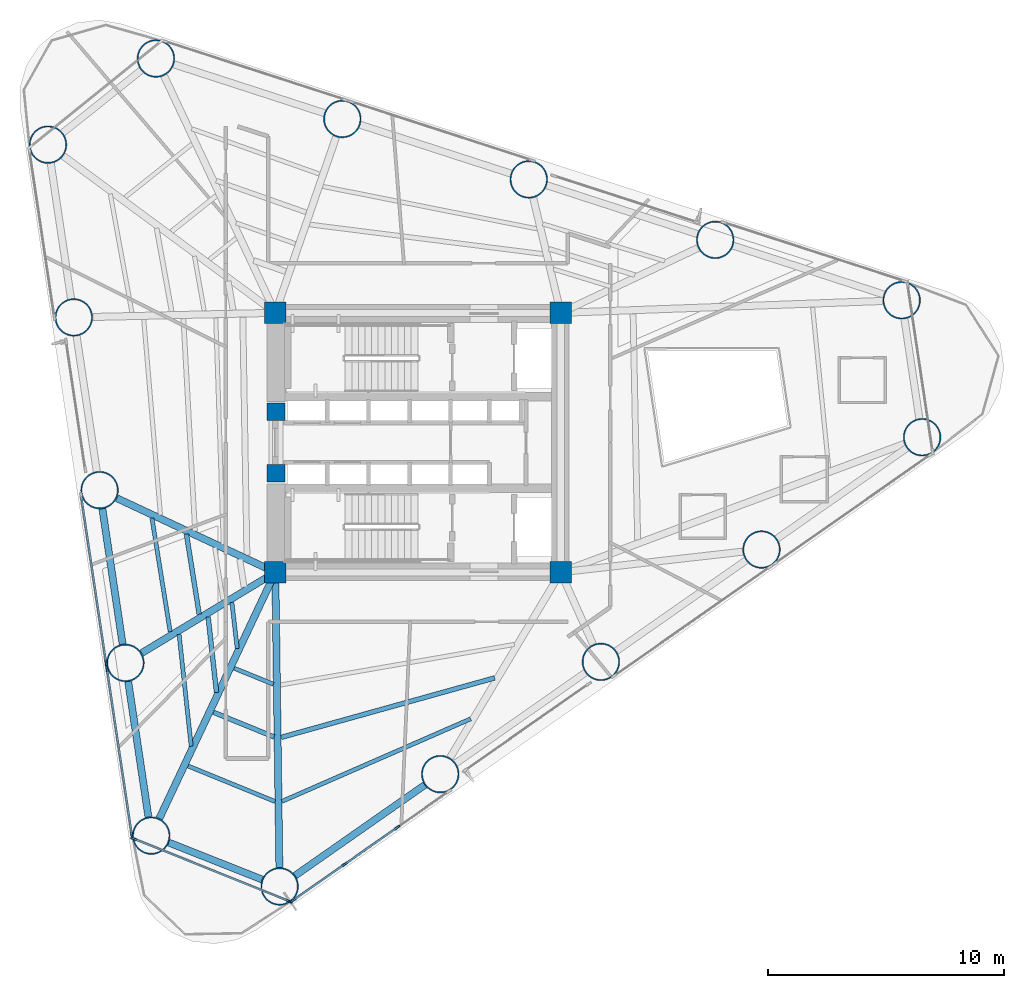
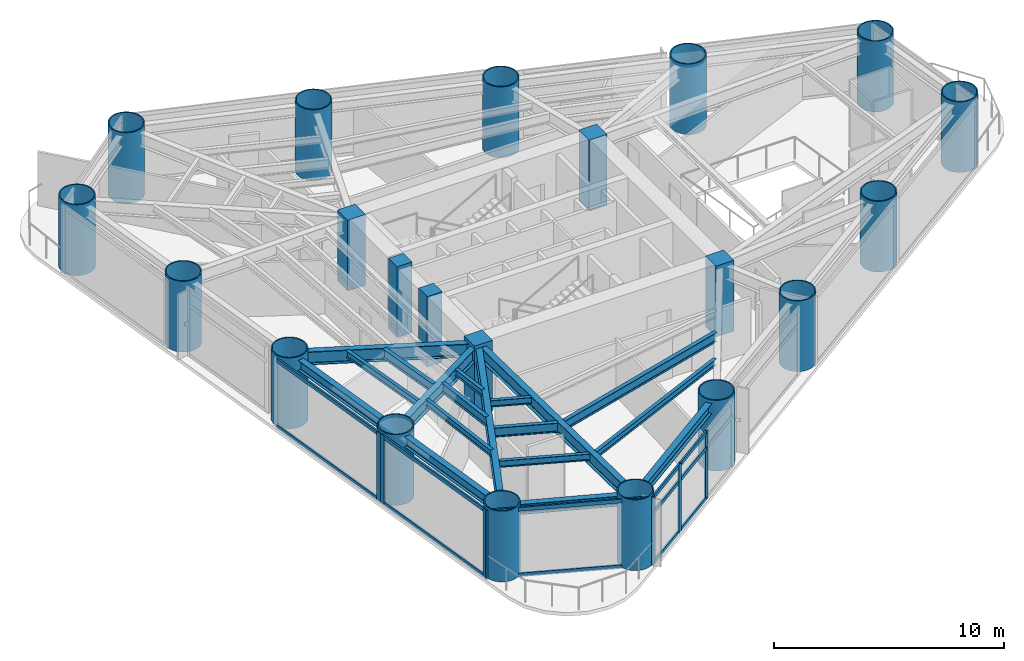
# One storey, part 1 of 9: 21 columns, 20 members, 18 beams, 4 elements without a shape of their own.
"""IFC4 building model written with IfcOpenShell, lengths in metres."""

from ifc_helpers import new_model, si_unit, direction, frame, origin, origin_2d, place, context, subcontext, project, spatial, rectangle, hollow_circle, i_section, extrude, source, transform, mapped, material, layer, layer_set, material_profile, profile_set, type_object, element, aggregate, save


model = new_model("IFC4")

# Units and contexts
model_context = context("Model", 3, precision=1e-05, world=origin(), true_north=direction((0.0, 1.0)))
body_context = subcontext(model_context, "Body", "Model", "MODEL_VIEW")
ifc_project = project(units=[si_unit("LENGTHUNIT", "METRE"), si_unit("AREAUNIT", "SQUARE_METRE"), si_unit("VOLUMEUNIT", "CUBIC_METRE"), si_unit("PLANEANGLEUNIT", "RADIAN"), si_unit("MASSUNIT", "GRAM", prefix="KILO")], contexts=[model_context])

# Site, building, storey
site_placement = place(None, origin())
site = spatial("IfcSite", under=ifc_project, at=site_placement, CompositionType="ELEMENT")
building_placement = place(site_placement, origin())
building = spatial("IfcBuilding", under=site, at=building_placement, Name="Yunling Apex Tower", CompositionType="ELEMENT")
storey_placement = place(building_placement, frame((0.0, 0.0, 77.300048828125)))
storey = spatial("IfcBuildingStorey", under=building, at=storey_placement, Name="L20", CompositionType="ELEMENT", Elevation=77.300048828125)

# Columns
ifc_material_1 = material(Name="Concrete C60", Category="concrete")
ifc_material_profile_1 = material_profile(ifc_material_1, rectangle(XDim=0.89990234375, YDim=0.89990234375, at=origin_2d()))
ifc_profile_set_1 = profile_set([ifc_material_profile_1], Name="Concrete C60")
column_type_1 = type_object("IfcColumnType", Name="PC-SRC-3", PredefinedType="COLUMN", material=ifc_profile_set_1)
shared_shape_1 = source(origin(), body_context, "Body", "SweptSolid", [
    extrude(rectangle(XDim=0.89990234375, YDim=0.89990234375, at=origin_2d()), origin(), (0.0, 0.0, 1.0), 3.75),
])
for number, where, z_axis, x_axis, name in (
    (1, (-6.050048828125, -5.5, 0.0), (0.0, 0.0, 1.0), (1.0, 0.0, 0.0), "L20 Core Spine Column CC-SW"),
    (2, (6.050048828125, -5.5, 0.0), (0.0, 0.0, 1.0), (1.0, 0.0, 0.0), "L20 Core Spine Column CC-SE"),
    (3, (6.050048828125, 5.5, 0.0), (0.0, 0.0, 1.0), (1.0, 0.0, 0.0), "L20 Core Spine Column CC-NE"),
    (4, (-6.050048828125, 5.5, 0.0), (0.0, 0.0, 1.0), (1.0, 0.0, 0.0), "L20 Core Spine Column CC-NW"),
):
    element("IfcColumn", number, at=place(storey_placement, frame(where, z_axis=z_axis, x_axis=x_axis)), inside=storey, type_object=column_type_1, Name=name, PredefinedType="COLUMN", context=body_context, shape_type="MappedRepresentation", body=[
        mapped(shared_shape_1, transform((0.0, 0.0, 0.0), scale=1.0)),
    ])
ifc_material_2 = material(Name="Concrete C50", Category="concrete")
ifc_material_profile_2 = material_profile(ifc_material_2, rectangle(XDim=0.75, YDim=0.75, at=origin_2d()))
ifc_profile_set_2 = profile_set([ifc_material_profile_2], Name="Concrete C50")
column_type_2 = type_object("IfcColumnType", Name="PC-SRC-4", PredefinedType="COLUMN", material=ifc_profile_set_2)
shared_shape_2 = source(origin(), body_context, "Body", "SweptSolid", [
    extrude(rectangle(XDim=0.75, YDim=0.75, at=origin_2d()), origin(), (0.0, 0.0, 1.0), 3.75),
])
for number, where, z_axis, x_axis, name in (
    (5, (-6.02490234375, -1.300048828125, 0.0), (0.0, 0.0, 1.0), (1.0, 0.0, 0.0), "L20 Core West Portal Jamb Column S"),
    (6, (-6.02490234375, 1.300048828125, 0.0), (0.0, 0.0, 1.0), (1.0, 0.0, 0.0), "L20 Core West Portal Jamb Column N"),
):
    element("IfcColumn", number, at=place(storey_placement, frame(where, z_axis=z_axis, x_axis=x_axis)), inside=storey, type_object=column_type_2, Name=name, PredefinedType="COLUMN", context=body_context, shape_type="MappedRepresentation", body=[
        mapped(shared_shape_2, transform((0.0, 0.0, 0.0), scale=1.0)),
    ])
ifc_material_3 = material(Name="Steel Q390GJC", Category="steel")
ifc_material_profile_3 = material_profile(ifc_material_3, hollow_circle(Radius=0.800048828125, WallThickness=0.054931640625, at=origin_2d()))
ifc_profile_set_3 = profile_set([ifc_material_profile_3], Name="Steel Q390GJC")
column_type_3 = type_object("IfcColumnType", Name="MC-CFST-1", PredefinedType="COLUMN", material=ifc_profile_set_3)
shared_shape_3 = source(origin(), body_context, "Body", "SweptSolid", [
    extrude(hollow_circle(Radius=0.800048828125, WallThickness=0.054931640625, at=origin_2d()), origin(), (0.0, 0.0, 1.0), 3.75),
])
for number, where, z_axis, x_axis, name in (
    (7, (-5.8681640625, -18.8193359375, 0.0), (0.0, 0.0, 1.0), (1.0, 0.0, 0.0), "L20 Perimeter CFST Mega-Column P01"),
    (8, (0.941650390625, -14.05810546875, 0.0), (0.0, 0.0, 1.0), (1.0, 0.0, 0.0), "L20 Perimeter CFST Mega-Column P02"),
    (9, (7.751708984375, -9.296875, 0.0), (0.0, 0.0, 1.0), (1.0, 0.0, 0.0), "L20 Perimeter CFST Mega-Column P03"),
    (10, (14.5615234375, -4.535400390625, 0.0), (0.0, 0.0, 1.0), (1.0, 0.0, 0.0), "L20 Perimeter CFST Mega-Column P04"),
    (11, (21.371337890625, 0.225830078125, 0.0), (0.0, 0.0, 1.0), (1.0, 0.0, 0.0), "L20 Perimeter CFST Mega-Column P05"),
    (12, (20.50341796875, 6.032470703125, 0.0), (0.0, 0.0, 1.0), (1.0, 0.0, 0.0), "L20 Perimeter CFST Mega-Column P06"),
    (13, (12.59912109375, 8.594482421875, 0.0), (0.0, 0.0, 1.0), (1.0, 0.0, 0.0), "L20 Perimeter CFST Mega-Column P07"),
    (14, (4.69482421875, 11.15673828125, 0.0), (0.0, 0.0, 1.0), (1.0, 0.0, 0.0), "L20 Perimeter CFST Mega-Column P08"),
    (15, (-3.209716796875, 13.718994140625, 0.0), (0.0, 0.0, 1.0), (1.0, 0.0, 0.0), "L20 Perimeter CFST Mega-Column P09"),
    (16, (-11.114013671875, 16.28125, 0.0), (0.0, 0.0, 1.0), (1.0, 0.0, 0.0), "L20 Perimeter CFST Mega-Column P10"),
    (17, (-15.689208984375, 12.62939453125, 0.0), (0.0, 0.0, 1.0), (1.0, 0.0, 0.0), "L20 Perimeter CFST Mega-Column P11"),
    (18, (-14.594482421875, 5.305908203125, 0.0), (0.0, 0.0, 1.0), (1.0, 0.0, 0.0), "L20 Perimeter CFST Mega-Column P12"),
    (19, (-13.5, -2.017578125, 0.0), (0.0, 0.0, 1.0), (1.0, 0.0, 0.0), "L20 Perimeter CFST Mega-Column P13"),
    (20, (-12.405517578125, -9.341064453125, 0.0), (0.0, 0.0, 1.0), (1.0, 0.0, 0.0), "L20 Perimeter CFST Mega-Column P14"),
    (21, (-11.31103515625, -16.66455078125, 0.0), (0.0, 0.0, 1.0), (1.0, 0.0, 0.0), "L20 Perimeter CFST Mega-Column P15"),
):
    element("IfcColumn", number, at=place(storey_placement, frame(where, z_axis=z_axis, x_axis=x_axis)), inside=storey, type_object=column_type_3, Name=name, PredefinedType="COLUMN", context=body_context, shape_type="MappedRepresentation", body=[
        mapped(shared_shape_3, transform((0.0, 0.0, 0.0), scale=1.0)),
    ])

# Beams
ifc_material_4 = material(Name="Steel Q355B", Category="steel")
ifc_material_profile_4 = material_profile(ifc_material_4, i_section(OverallWidth=0.300048828125, OverallDepth=0.5400390625, WebThickness=0.011962890625, FlangeThickness=0.02001953125, FilletRadius=0.02392578125, at=origin_2d()))
ifc_profile_set_4 = profile_set([ifc_material_profile_4], Name="Steel Q355B")
beam_type_1 = type_object("IfcBeamType", Name="BP-SPN-1", PredefinedType="SPANDREL", material=ifc_profile_set_4)
shared_shape_4 = source(origin(), body_context, "Body", "SweptSolid", [
    extrude(i_section(OverallWidth=0.300048828125, OverallDepth=0.5400390625, WebThickness=0.011962890625, FlangeThickness=0.02001953125, FilletRadius=0.02392578125, at=origin_2d()), origin(), (0.0, 0.0, 1.0), 6.721435546875),
])
beam_1_placement = place(storey_placement, frame((-5.217529296875, -18.364501953125, 3.294921875), z_axis=(0.81955772083, 0.572996633697, 0.0), x_axis=(-0.572996633697, 0.81955772083, 0.0)))
element("IfcBeam", 22, at=beam_1_placement, inside=storey, type_object=beam_type_1, Name="L20 Perimeter Spandrel Beam 1", PredefinedType="SPANDREL", context=body_context, shape_type="MappedRepresentation", body=[
    mapped(shared_shape_4, transform((0.0, 0.0, 0.0), scale=1.0)),
])
shared_shape_5 = source(origin(), body_context, "Body", "SweptSolid", [
    extrude(i_section(OverallWidth=0.300048828125, OverallDepth=0.5400390625, WebThickness=0.011962890625, FlangeThickness=0.02001953125, FilletRadius=0.02392578125, at=origin_2d()), origin(), (0.0, 0.0, 1.0), 4.265869140625),
])
beam_2_placement = place(storey_placement, frame((-10.57275390625, -16.956787109375, 3.294921875), z_axis=(0.929781313093, -0.368112360323, 0.0), x_axis=(0.368112360323, 0.929781313093, 0.0)))
element("IfcBeam", 23, at=beam_2_placement, inside=storey, type_object=beam_type_1, Name="L20 Perimeter Spandrel Beam 15", PredefinedType="SPANDREL", context=body_context, shape_type="MappedRepresentation", body=[
    mapped(shared_shape_5, transform((0.0, 0.0, 0.0), scale=1.0)),
])
shared_shape_6 = source(origin(), body_context, "Body", "SweptSolid", [
    extrude(i_section(OverallWidth=0.300048828125, OverallDepth=0.5400390625, WebThickness=0.011962890625, FlangeThickness=0.02001953125, FilletRadius=0.02392578125, at=origin_2d()), origin(), (0.0, 0.0, 1.0), 5.81689453125),
])
for number, where, z_axis, x_axis, name in (
    (24, (-13.3828125, -2.802978515625, 3.294921875), (0.147823230204, -0.989013797989, 0.0), (0.989013797989, 0.147823230204, 0.0), "L20 Perimeter Spandrel Beam 13"),
    (25, (-12.2880859375, -10.12646484375, 3.294921875), (0.14778217558, -0.989019933359, 0.0), (0.989019933359, 0.14778217558, 0.0), "L20 Perimeter Spandrel Beam 14"),
):
    element("IfcBeam", number, at=place(storey_placement, frame(where, z_axis=z_axis, x_axis=x_axis)), inside=storey, type_object=beam_type_1, Name=name, PredefinedType="SPANDREL", context=body_context, shape_type="MappedRepresentation", body=[
        mapped(shared_shape_6, transform((0.0, 0.0, 0.0), scale=1.0)),
    ])
ifc_material_profile_5 = material_profile(ifc_material_4, i_section(OverallWidth=0.300048828125, OverallDepth=0.699951171875, WebThickness=0.012939453125, FlangeThickness=0.02392578125, FilletRadius=0.02587890625, at=origin_2d()))
ifc_profile_set_5 = profile_set([ifc_material_profile_5], Name="Steel Q355B")
beam_type_2 = type_object("IfcBeamType", Name="BG-PRI-3", PredefinedType="USERDEFINED", material=ifc_profile_set_5)
shared_shape_7 = source(origin(), body_context, "Body", "SweptSolid", [
    extrude(i_section(OverallWidth=0.300048828125, OverallDepth=0.699951171875, WebThickness=0.012939453125, FlangeThickness=0.02392578125, FilletRadius=0.02587890625, at=origin_2d()), origin(), (0.0, 0.0, 1.0), 12.4326171875),
])
beam_3_placement = place(storey_placement, frame((-5.879150390625, -18.011474609375, 3.21484375), z_axis=(-0.013647857779, 0.999906863652, 0.0), x_axis=(-0.999906863652, -0.013647857779, 0.0)))
element("IfcBeam", 26, at=beam_3_placement, inside=storey, type_object=beam_type_2, Name="L20 Radial Primary Girder R01", ObjectType="GIRDER", PredefinedType="USERDEFINED", context=body_context, shape_type="MappedRepresentation", body=[
    mapped(shared_shape_7, transform((0.0, 0.0, 0.0), scale=1.0)),
])
shared_shape_8 = source(origin(), body_context, "Body", "SweptSolid", [
    extrude(i_section(OverallWidth=0.300048828125, OverallDepth=0.699951171875, WebThickness=0.012939453125, FlangeThickness=0.02392578125, FilletRadius=0.02587890625, at=origin_2d()), origin(), (0.0, 0.0, 1.0), 7.335693359375),
])
beam_4_placement = place(storey_placement, frame((-12.76806640625, -2.35986328125, 3.21484375), z_axis=(0.905923640783, -0.423441090437, 0.0), x_axis=(0.423441090437, 0.905923640783, 0.0)))
element("IfcBeam", 27, at=beam_4_placement, inside=storey, type_object=beam_type_2, Name="L20 Radial Primary Girder R13", ObjectType="GIRDER", PredefinedType="USERDEFINED", context=body_context, shape_type="MappedRepresentation", body=[
    mapped(shared_shape_8, transform((0.0, 0.0, 0.0), scale=1.0)),
])
shared_shape_9 = source(origin(), body_context, "Body", "SweptSolid", [
    extrude(i_section(OverallWidth=0.300048828125, OverallDepth=0.699951171875, WebThickness=0.012939453125, FlangeThickness=0.02392578125, FilletRadius=0.02587890625, at=origin_2d()), origin(), (0.0, 0.0, 1.0), 6.5380859375),
])
beam_5_placement = place(storey_placement, frame((-11.714111328125, -8.923095703125, 3.21484375), z_axis=(0.855857690559, 0.517211381847, 0.0), x_axis=(-0.517211381847, 0.855857690559, 0.0)))
element("IfcBeam", 28, at=beam_5_placement, inside=storey, type_object=beam_type_2, Name="L20 Radial Primary Girder R14", ObjectType="GIRDER", PredefinedType="USERDEFINED", context=body_context, shape_type="MappedRepresentation", body=[
    mapped(shared_shape_9, transform((0.0, 0.0, 0.0), scale=1.0)),
])
shared_shape_10 = source(origin(), body_context, "Body", "SweptSolid", [
    extrude(i_section(OverallWidth=0.300048828125, OverallDepth=0.699951171875, WebThickness=0.012939453125, FlangeThickness=0.02392578125, FilletRadius=0.02587890625, at=origin_2d()), origin(), (0.0, 0.0, 1.0), 11.4541015625),
])
beam_6_placement = place(storey_placement, frame((-10.966796875, -15.93359375, 3.21484375), z_axis=(0.426297901301, 0.904582831667, 0.0), x_axis=(-0.904582831667, 0.426297901301, 0.0)))
element("IfcBeam", 29, at=beam_6_placement, inside=storey, type_object=beam_type_2, Name="L20 Radial Primary Girder R15", ObjectType="GIRDER", PredefinedType="USERDEFINED", context=body_context, shape_type="MappedRepresentation", body=[
    mapped(shared_shape_10, transform((0.0, 0.0, 0.0), scale=1.0)),
])
ifc_material_profile_6 = material_profile(ifc_material_4, i_section(OverallWidth=0.199951171875, OverallDepth=0.5, WebThickness=0.010009765625, FlangeThickness=0.01611328125, FilletRadius=0.02001953125, at=origin_2d()))
ifc_profile_set_6 = profile_set([ifc_material_profile_6], Name="Steel Q355B")
beam_type_3 = type_object("IfcBeamType", Name="BS-SEC-2", PredefinedType="BEAM", material=ifc_profile_set_6)
shared_shape_11 = source(origin(), body_context, "Body", "SweptSolid", [
    extrude(i_section(OverallWidth=0.199951171875, OverallDepth=0.5, WebThickness=0.010009765625, FlangeThickness=0.01611328125, FilletRadius=0.02001953125, at=origin_2d()), origin(), (0.0, 0.0, 1.0), 9.3935546875),
])
beam_7_placement = place(storey_placement, frame((-5.7998046875, -12.498779296875, 3.31494140625), z_axis=(0.963300137935, 0.268426608693, 0.0), x_axis=(-0.268426608693, 0.963300137935, 0.0)))
element("IfcBeam", 30, at=beam_7_placement, inside=storey, type_object=beam_type_3, Name="L20 Composite Floor Beam BS-1", PredefinedType="BEAM", context=body_context, shape_type="MappedRepresentation", body=[
    mapped(shared_shape_11, transform((0.0, 0.0, 0.0), scale=1.0)),
])
ifc_material_profile_7 = material_profile(ifc_material_4, i_section(OverallWidth=0.175048828125, OverallDepth=0.35009765625, WebThickness=0.007080078125, FlangeThickness=0.010986328125, FilletRadius=0.013916015625, at=origin_2d()))
ifc_profile_set_7 = profile_set([ifc_material_profile_7], Name="Steel Q355B")
beam_type_4 = type_object("IfcBeamType", Name="BJ-JST-1", PredefinedType="JOIST", material=ifc_profile_set_7)
shared_shape_12 = source(origin(), body_context, "Body", "SweptSolid", [
    extrude(i_section(OverallWidth=0.175048828125, OverallDepth=0.35009765625, WebThickness=0.007080078125, FlangeThickness=0.010986328125, FilletRadius=0.013916015625, at=origin_2d()), origin(), (0.0, 0.0, 1.0), 8.734375),
])
beam_8_placement = place(storey_placement, frame((-5.77001953125, -15.21240234375, 3.389892578125), z_axis=(0.916252252871, 0.400601808668, 0.0), x_axis=(-0.400601808668, 0.916252252871, 0.0)))
element("IfcBeam", 31, at=beam_8_placement, inside=storey, type_object=beam_type_4, Name="L20 Composite Floor Joist BJ1-1", PredefinedType="JOIST", context=body_context, shape_type="MappedRepresentation", body=[
    mapped(shared_shape_12, transform((0.0, 0.0, 0.0), scale=1.0)),
])
shared_shape_13 = source(origin(), body_context, "Body", "SweptSolid", [
    extrude(i_section(OverallWidth=0.199951171875, OverallDepth=0.5, WebThickness=0.010009765625, FlangeThickness=0.01611328125, FilletRadius=0.02001953125, at=origin_2d()), origin(), (0.0, 0.0, 1.0), 3.435546875),
])
beam_9_placement = place(storey_placement, frame((-9.81884765625, -3.884521484375, 3.31494140625), z_axis=(0.157619096627, -0.987499985002, 0.0), x_axis=(0.987499985002, 0.157619096627, 0.0)))
element("IfcBeam", 32, at=beam_9_placement, inside=storey, type_object=beam_type_3, Name="L20 Composite Floor Beam BS-13", PredefinedType="BEAM", context=body_context, shape_type="MappedRepresentation", body=[
    mapped(shared_shape_13, transform((0.0, 0.0, 0.0), scale=1.0)),
])
shared_shape_14 = source(origin(), body_context, "Body", "SweptSolid", [
    extrude(i_section(OverallWidth=0.175048828125, OverallDepth=0.35009765625, WebThickness=0.007080078125, FlangeThickness=0.010986328125, FilletRadius=0.013916015625, at=origin_2d()), origin(), (0.0, 0.0, 1.0), 4.881591796875),
])
beam_10_placement = place(storey_placement, frame((-11.28076171875, -3.201171875, 3.389892578125), z_axis=(0.158240169421, -0.987400652614, 0.0), x_axis=(0.987400652614, 0.158240169421, 0.0)))
element("IfcBeam", 33, at=beam_10_placement, inside=storey, type_object=beam_type_4, Name="L20 Composite Floor Joist BJ1-13", PredefinedType="JOIST", context=body_context, shape_type="MappedRepresentation", body=[
    mapped(shared_shape_14, transform((0.0, 0.0, 0.0), scale=1.0)),
])
shared_shape_15 = source(origin(), body_context, "Body", "SweptSolid", [
    extrude(i_section(OverallWidth=0.199951171875, OverallDepth=0.5, WebThickness=0.010009765625, FlangeThickness=0.01611328125, FilletRadius=0.02001953125, at=origin_2d()), origin(), (0.0, 0.0, 1.0), 3.222412109375),
])
beam_11_placement = place(storey_placement, frame((-8.898681640625, -7.391357421875, 3.31494140625), z_axis=(0.110315104592, -0.993896663491, 0.0), x_axis=(0.993896663491, 0.110315104592, 0.0)))
element("IfcBeam", 34, at=beam_11_placement, inside=storey, type_object=beam_type_3, Name="L20 Composite Floor Beam BS-14", PredefinedType="BEAM", context=body_context, shape_type="MappedRepresentation", body=[
    mapped(shared_shape_15, transform((0.0, 0.0, 0.0), scale=1.0)),
])
shared_shape_16 = source(origin(), body_context, "Body", "SweptSolid", [
    extrude(i_section(OverallWidth=0.175048828125, OverallDepth=0.35009765625, WebThickness=0.007080078125, FlangeThickness=0.010986328125, FilletRadius=0.013916015625, at=origin_2d()), origin(), (0.0, 0.0, 1.0), 4.765869140625),
])
beam_12_placement = place(storey_placement, frame((-10.130126953125, -8.135498046875, 3.389892578125), z_axis=(0.107732282993, -0.994179941058, 0.0), x_axis=(0.994179941058, 0.107732282993, 0.0)))
element("IfcBeam", 35, at=beam_12_placement, inside=storey, type_object=beam_type_4, Name="L20 Composite Floor Joist BJ1-14", PredefinedType="JOIST", context=body_context, shape_type="MappedRepresentation", body=[
    mapped(shared_shape_16, transform((0.0, 0.0, 0.0), scale=1.0)),
])
shared_shape_17 = source(origin(), body_context, "Body", "SweptSolid", [
    extrude(i_section(OverallWidth=0.175048828125, OverallDepth=0.35009765625, WebThickness=0.007080078125, FlangeThickness=0.010986328125, FilletRadius=0.013916015625, at=origin_2d()), origin(), (0.0, 0.0, 1.0), 1.95947265625),
])
beam_13_placement = place(storey_placement, frame((-7.890625, -6.782470703125, 3.389892578125), z_axis=(0.11512063256, -0.993351518829, 0.0), x_axis=(0.993351518829, 0.11512063256, 0.0)))
element("IfcBeam", 36, at=beam_13_placement, inside=storey, type_object=beam_type_4, Name="L20 Composite Floor Joist BJ3-14", PredefinedType="JOIST", context=body_context, shape_type="MappedRepresentation", body=[
    mapped(shared_shape_17, transform((0.0, 0.0, 0.0), scale=1.0)),
])
shared_shape_18 = source(origin(), body_context, "Body", "SweptSolid", [
    extrude(i_section(OverallWidth=0.199951171875, OverallDepth=0.5, WebThickness=0.010009765625, FlangeThickness=0.01611328125, FilletRadius=0.02001953125, at=origin_2d()), origin(), (0.0, 0.0, 1.0), 2.77294921875),
])
beam_14_placement = place(storey_placement, frame((-8.670166015625, -11.43505859375, 3.31494140625), z_axis=(0.926108309986, -0.377257734413, 0.0), x_axis=(0.377257734413, 0.926108309986, 0.0)))
element("IfcBeam", 37, at=beam_14_placement, inside=storey, type_object=beam_type_3, Name="L20 Composite Floor Beam BS-15", PredefinedType="BEAM", context=body_context, shape_type="MappedRepresentation", body=[
    mapped(shared_shape_18, transform((0.0, 0.0, 0.0), scale=1.0)),
])
shared_shape_19 = source(origin(), body_context, "Body", "SweptSolid", [
    extrude(i_section(OverallWidth=0.175048828125, OverallDepth=0.35009765625, WebThickness=0.007080078125, FlangeThickness=0.010986328125, FilletRadius=0.013916015625, at=origin_2d()), origin(), (0.0, 0.0, 1.0), 3.97412109375),
])
beam_15_placement = place(storey_placement, frame((-9.744384765625, -13.714599609375, 3.389892578125), z_axis=(0.925887115862, -0.377800276178, 0.0), x_axis=(0.377800276178, 0.925887115862, 0.0)))
element("IfcBeam", 38, at=beam_15_placement, inside=storey, type_object=beam_type_4, Name="L20 Composite Floor Joist BJ1-15", PredefinedType="JOIST", context=body_context, shape_type="MappedRepresentation", body=[
    mapped(shared_shape_19, transform((0.0, 0.0, 0.0), scale=1.0)),
])
shared_shape_20 = source(origin(), body_context, "Body", "SweptSolid", [
    extrude(i_section(OverallWidth=0.175048828125, OverallDepth=0.35009765625, WebThickness=0.007080078125, FlangeThickness=0.010986328125, FilletRadius=0.013916015625, at=origin_2d()), origin(), (0.0, 0.0, 1.0), 1.790283203125),
])
beam_16_placement = place(storey_placement, frame((-7.791259765625, -9.56982421875, 3.389892578125), z_axis=(0.926469549023, -0.376369731425, 0.0), x_axis=(0.376369731425, 0.926469549023, 0.0)))
element("IfcBeam", 39, at=beam_16_placement, inside=storey, type_object=beam_type_4, Name="L20 Composite Floor Joist BJ3-15", PredefinedType="JOIST", context=body_context, shape_type="MappedRepresentation", body=[
    mapped(shared_shape_20, transform((0.0, 0.0, 0.0), scale=1.0)),
])

# Curtain wall, members
ifc_material_5 = material(Name="Bronze anodised aluminium", Category="aluminium")
ifc_layer = layer(ifc_material_5, 0.260009765625)
ifc_layer_set = layer_set([ifc_layer], Name="Bronze anodised aluminium")
curtain_wall_type = type_object("IfcCurtainWallType", Name="CW-SYS-2", PredefinedType="NOTDEFINED", material=ifc_layer_set)
curtain_wall_1_placement = place(storey_placement, origin())
curtain_wall_1 = element("IfcCurtainWall", 40, at=curtain_wall_1_placement, inside=storey, type_object=curtain_wall_type, Name="CW-L20-F1-B1", PredefinedType="NOTDEFINED")
ifc_material_profile_8 = material_profile(ifc_material_5, rectangle(XDim=0.0849609375, YDim=0.260009765625, at=origin_2d()))
ifc_profile_set_8 = profile_set([ifc_material_profile_8], Name="Bronze anodised aluminium")
member_type_1 = type_object("IfcMemberType", Name="CW-MUL-2", PredefinedType="MULLION", material=ifc_profile_set_8)
shared_shape_21 = source(origin(), body_context, "Body", "SweptSolid", [
    extrude(rectangle(XDim=0.0849609375, YDim=0.260009765625, at=origin_2d()), origin(), (0.0, 0.0, 1.0), 3.6650390625),
])
member_1_placement = place(storey_placement, frame((-5.3037109375, -19.412841796875, -0.050048828125), z_axis=(0.0, 0.0, 1.0), x_axis=(-0.573004358875, 0.819552319691, 0.0)))
member_1 = element("IfcMember", 41, at=member_1_placement, type_object=member_type_1, Name="CW-SYS-2 mullion 1", PredefinedType="MULLION", context=body_context, shape_type="MappedRepresentation", body=[
    mapped(shared_shape_21, transform((0.0, 0.0, 0.0), scale=1.0)),
])
member_2_placement = place(storey_placement, frame((-3.1123046875, -17.880859375, -0.050048828125), z_axis=(0.0, 0.0, 1.0), x_axis=(-0.573004358875, 0.819552319691, 0.0)))
member_2 = element("IfcMember", 42, at=member_2_placement, type_object=member_type_1, Name="CW-SYS-2 mullion 2", PredefinedType="MULLION", context=body_context, shape_type="MappedRepresentation", body=[
    mapped(shared_shape_21, transform((0.0, 0.0, 0.0), scale=1.0)),
])
member_3_placement = place(storey_placement, frame((-0.885986328125, -16.32421875, -0.050048828125), z_axis=(0.0, 0.0, 1.0), x_axis=(-0.573004358875, 0.819552319691, 0.0)))
member_3 = element("IfcMember", 43, at=member_3_placement, type_object=member_type_1, Name="CW-SYS-2 mullion 3", PredefinedType="MULLION", context=body_context, shape_type="MappedRepresentation", body=[
    mapped(shared_shape_21, transform((0.0, 0.0, 0.0), scale=1.0)),
])

# Curtain wall, member
curtain_wall_2_placement = place(storey_placement, origin())
curtain_wall_2 = element("IfcCurtainWall", 44, at=curtain_wall_2_placement, inside=storey, type_object=curtain_wall_type, Name="CW-L20-F3-B3", PredefinedType="NOTDEFINED")
member_4_placement = place(storey_placement, frame((-13.224853515625, -9.339599609375, -0.050048828125), z_axis=(0.0, 0.0, 1.0), x_axis=(0.98901508166, 0.147814641525, 0.0)))
member_4 = element("IfcMember", 45, at=member_4_placement, type_object=member_type_1, Name="CW-SYS-2 mullion 2", PredefinedType="MULLION", context=body_context, shape_type="MappedRepresentation", body=[
    mapped(shared_shape_21, transform((0.0, 0.0, 0.0), scale=1.0)),
])

# Curtain wall, members
curtain_wall_3_placement = place(storey_placement, origin())
curtain_wall_3 = element("IfcCurtainWall", 46, at=curtain_wall_3_placement, inside=storey, type_object=curtain_wall_type, Name="CW-L20-F3-B4", PredefinedType="NOTDEFINED")
member_5_placement = place(storey_placement, frame((-13.1884765625, -9.58203125, -0.050048828125), z_axis=(0.0, 0.0, 1.0), x_axis=(0.989017099422, 0.14780114022, 0.0)))
member_5 = element("IfcMember", 47, at=member_5_placement, type_object=member_type_1, Name="CW-SYS-2 mullion 1", PredefinedType="MULLION", context=body_context, shape_type="MappedRepresentation", body=[
    mapped(shared_shape_21, transform((0.0, 0.0, 0.0), scale=1.0)),
])
member_6_placement = place(storey_placement, frame((-12.13037109375, -16.6630859375, -0.050048828125), z_axis=(0.0, 0.0, 1.0), x_axis=(0.989017099422, 0.14780114022, 0.0)))
member_6 = element("IfcMember", 48, at=member_6_placement, type_object=member_type_1, Name="CW-SYS-2 mullion 2", PredefinedType="MULLION", context=body_context, shape_type="MappedRepresentation", body=[
    mapped(shared_shape_21, transform((0.0, 0.0, 0.0), scale=1.0)),
])

curtain_wall_4_placement = place(storey_placement, origin())
curtain_wall_4 = element("IfcCurtainWall", 49, at=curtain_wall_4_placement, inside=storey, type_object=curtain_wall_type, Name="CW-L20-CRN3", PredefinedType="NOTDEFINED")
member_7_placement = place(storey_placement, frame((-12.052978515625, -16.79736328125, -0.050048828125), z_axis=(0.0, 0.0, 1.0), x_axis=(0.373143693329, 0.927773562961, 0.0)))
member_7 = element("IfcMember", 50, at=member_7_placement, type_object=member_type_1, Name="CW-SYS-2 mullion 1", PredefinedType="MULLION", context=body_context, shape_type="MappedRepresentation", body=[
    mapped(shared_shape_21, transform((0.0, 0.0, 0.0), scale=1.0)),
])
member_8_placement = place(storey_placement, frame((-5.454833984375, -19.450927734375, -0.050048828125), z_axis=(0.0, 0.0, 1.0), x_axis=(0.373143693329, 0.927773562961, 0.0)))
member_8 = element("IfcMember", 51, at=member_8_placement, type_object=member_type_1, Name="CW-SYS-2 mullion 2", PredefinedType="MULLION", context=body_context, shape_type="MappedRepresentation", body=[
    mapped(shared_shape_21, transform((0.0, 0.0, 0.0), scale=1.0)),
])

# Member
ifc_material_profile_9 = material_profile(ifc_material_5, rectangle(XDim=0.0849609375, YDim=0.199951171875, at=origin_2d()))
ifc_profile_set_9 = profile_set([ifc_material_profile_9], Name="Bronze anodised aluminium")
member_type_2 = type_object("IfcMemberType", Name="CW-TRN-2", PredefinedType="USERDEFINED", material=ifc_profile_set_9)
shared_shape_22 = source(origin(), body_context, "Body", "SweptSolid", [
    extrude(rectangle(XDim=0.0849609375, YDim=0.199951171875, at=origin_2d()), origin(), (0.0, 0.0, 1.0), 2.597412109375),
])
member_9_placement = place(storey_placement, frame((-5.272216796875, -19.39111328125, 0.04248046875), z_axis=(0.819510013096, 0.573064864073, 0.0), x_axis=(-0.573064864073, 0.819510013096, 0.0)))
member_9 = element("IfcMember", 52, at=member_9_placement, type_object=member_type_2, Name="CW-SYS-2 transom 1.1", ObjectType="TRANSOM", PredefinedType="USERDEFINED", context=body_context, shape_type="MappedRepresentation", body=[
    mapped(shared_shape_22, transform((0.0, 0.0, 0.0), scale=1.0)),
])

member_10_placement = place(storey_placement, frame((-5.272216796875, -19.39111328125, 2.71484375), z_axis=(0.819510013096, 0.573064864073, 0.0), x_axis=(-0.573064864073, 0.819510013096, 0.0)))
member_10 = element("IfcMember", 53, at=member_10_placement, type_object=member_type_2, Name="CW-SYS-2 transom 1.2", ObjectType="TRANSOM", PredefinedType="USERDEFINED", context=body_context, shape_type="MappedRepresentation", body=[
    mapped(shared_shape_22, transform((0.0, 0.0, 0.0), scale=1.0)),
])

member_11_placement = place(storey_placement, frame((-5.272216796875, -19.39111328125, 3.5224609375), z_axis=(0.819510013096, 0.573064864073, 0.0), x_axis=(-0.573064864073, 0.819510013096, 0.0)))
member_11 = element("IfcMember", 54, at=member_11_placement, type_object=member_type_2, Name="CW-SYS-2 transom 1.3", ObjectType="TRANSOM", PredefinedType="USERDEFINED", context=body_context, shape_type="MappedRepresentation", body=[
    mapped(shared_shape_22, transform((0.0, 0.0, 0.0), scale=1.0)),
])

shared_shape_23 = source(origin(), body_context, "Body", "SweptSolid", [
    extrude(rectangle(XDim=0.0849609375, YDim=0.199951171875, at=origin_2d()), origin(), (0.0, 0.0, 1.0), 2.639892578125),
])
member_12_placement = place(storey_placement, frame((-3.080810546875, -17.85888671875, 0.04248046875), z_axis=(0.81955329767, 0.573002960095, 0.0), x_axis=(-0.573002960095, 0.81955329767, 0.0)))
member_12 = element("IfcMember", 55, at=member_12_placement, type_object=member_type_2, Name="CW-SYS-2 transom 2.1", ObjectType="TRANSOM", PredefinedType="USERDEFINED", context=body_context, shape_type="MappedRepresentation", body=[
    mapped(shared_shape_23, transform((0.0, 0.0, 0.0), scale=1.0)),
])

member_13_placement = place(storey_placement, frame((-3.080810546875, -17.85888671875, 2.71484375), z_axis=(0.81955329767, 0.573002960095, 0.0), x_axis=(-0.573002960095, 0.81955329767, 0.0)))
member_13 = element("IfcMember", 56, at=member_13_placement, type_object=member_type_2, Name="CW-SYS-2 transom 2.2", ObjectType="TRANSOM", PredefinedType="USERDEFINED", context=body_context, shape_type="MappedRepresentation", body=[
    mapped(shared_shape_23, transform((0.0, 0.0, 0.0), scale=1.0)),
])

member_14_placement = place(storey_placement, frame((-3.080810546875, -17.85888671875, 3.5224609375), z_axis=(0.81955329767, 0.573002960095, 0.0), x_axis=(-0.573002960095, 0.81955329767, 0.0)))
member_14 = element("IfcMember", 57, at=member_14_placement, type_object=member_type_2, Name="CW-SYS-2 transom 2.3", ObjectType="TRANSOM", PredefinedType="USERDEFINED", context=body_context, shape_type="MappedRepresentation", body=[
    mapped(shared_shape_23, transform((0.0, 0.0, 0.0), scale=1.0)),
])

aggregate(curtain_wall_1, [member_1, member_2, member_3, member_9, member_10, member_11, member_12, member_13, member_14])

shared_shape_24 = source(origin(), body_context, "Body", "SweptSolid", [
    extrude(rectangle(XDim=0.0849609375, YDim=0.199951171875, at=origin_2d()), origin(), (0.0, 0.0, 1.0), 7.03515625),
])
member_15_placement = place(storey_placement, frame((-12.017578125, -16.8115234375, 0.04248046875), z_axis=(0.927768998615, -0.373155041784, 0.0), x_axis=(0.373155041784, 0.927768998615, 0.0)))
member_15 = element("IfcMember", 58, at=member_15_placement, type_object=member_type_2, Name="CW-SYS-2 transom 1.1", ObjectType="TRANSOM", PredefinedType="USERDEFINED", context=body_context, shape_type="MappedRepresentation", body=[
    mapped(shared_shape_24, transform((0.0, 0.0, 0.0), scale=1.0)),
])

member_16_placement = place(storey_placement, frame((-12.017578125, -16.8115234375, 3.5224609375), z_axis=(0.927768998615, -0.373155041784, 0.0), x_axis=(0.373155041784, 0.927768998615, 0.0)))
member_16 = element("IfcMember", 59, at=member_16_placement, type_object=member_type_2, Name="CW-SYS-2 transom 1.2", ObjectType="TRANSOM", PredefinedType="USERDEFINED", context=body_context, shape_type="MappedRepresentation", body=[
    mapped(shared_shape_24, transform((0.0, 0.0, 0.0), scale=1.0)),
])

aggregate(curtain_wall_4, [member_7, member_8, member_15, member_16])

shared_shape_25 = source(origin(), body_context, "Body", "SweptSolid", [
    extrude(rectangle(XDim=0.0849609375, YDim=0.199951171875, at=origin_2d()), origin(), (0.0, 0.0, 1.0), 7.08349609375),
])
member_17_placement = place(storey_placement, frame((-14.27734375, -2.296142578125, 0.04248046875), z_axis=(0.147792672874, -0.989018364766, 0.0), x_axis=(0.989018364766, 0.147792672874, 0.0)))
member_17 = element("IfcMember", 60, at=member_17_placement, type_object=member_type_2, Name="CW-SYS-2 transom 1.1", ObjectType="TRANSOM", PredefinedType="USERDEFINED", context=body_context, shape_type="MappedRepresentation", body=[
    mapped(shared_shape_25, transform((0.0, 0.0, 0.0), scale=1.0)),
])

member_18_placement = place(storey_placement, frame((-14.27734375, -2.296142578125, 3.5224609375), z_axis=(0.147792672874, -0.989018364766, 0.0), x_axis=(0.989018364766, 0.147792672874, 0.0)))
member_18 = element("IfcMember", 61, at=member_18_placement, type_object=member_type_2, Name="CW-SYS-2 transom 1.2", ObjectType="TRANSOM", PredefinedType="USERDEFINED", context=body_context, shape_type="MappedRepresentation", body=[
    mapped(shared_shape_25, transform((0.0, 0.0, 0.0), scale=1.0)),
])

aggregate(curtain_wall_2, [member_4, member_17, member_18])

shared_shape_26 = source(origin(), body_context, "Body", "SweptSolid", [
    extrude(rectangle(XDim=0.0849609375, YDim=0.199951171875, at=origin_2d()), origin(), (0.0, 0.0, 1.0), 7.083251953125),
])
member_19_placement = place(storey_placement, frame((-13.182861328125, -9.619873046875, 0.04248046875), z_axis=(0.147797711012, -0.989017611886, 0.0), x_axis=(0.989017611886, 0.147797711012, 0.0)))
member_19 = element("IfcMember", 62, at=member_19_placement, type_object=member_type_2, Name="CW-SYS-2 transom 1.1", ObjectType="TRANSOM", PredefinedType="USERDEFINED", context=body_context, shape_type="MappedRepresentation", body=[
    mapped(shared_shape_26, transform((0.0, 0.0, 0.0), scale=1.0)),
])

member_20_placement = place(storey_placement, frame((-13.182861328125, -9.619873046875, 3.5224609375), z_axis=(0.147797711012, -0.989017611886, 0.0), x_axis=(0.989017611886, 0.147797711012, 0.0)))
member_20 = element("IfcMember", 63, at=member_20_placement, type_object=member_type_2, Name="CW-SYS-2 transom 1.2", ObjectType="TRANSOM", PredefinedType="USERDEFINED", context=body_context, shape_type="MappedRepresentation", body=[
    mapped(shared_shape_26, transform((0.0, 0.0, 0.0), scale=1.0)),
])

aggregate(curtain_wall_3, [member_5, member_6, member_19, member_20])

save(model, "model.ifc")
